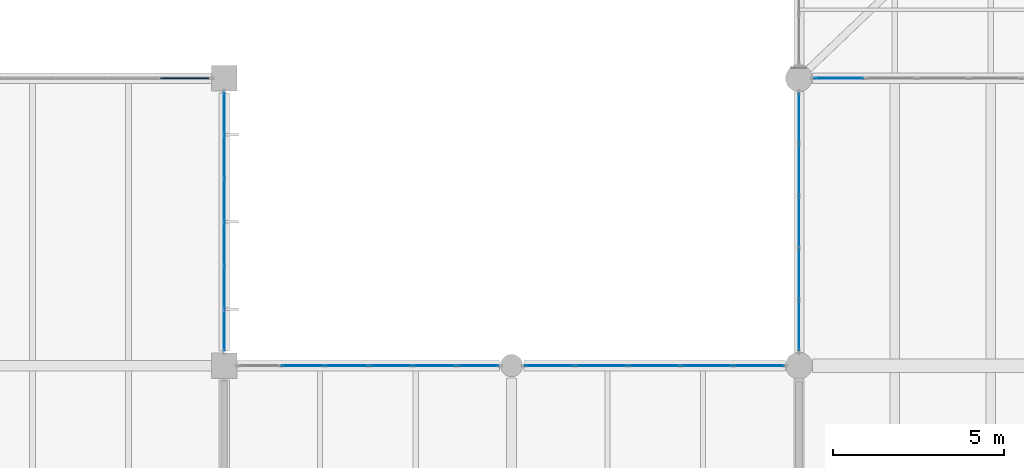
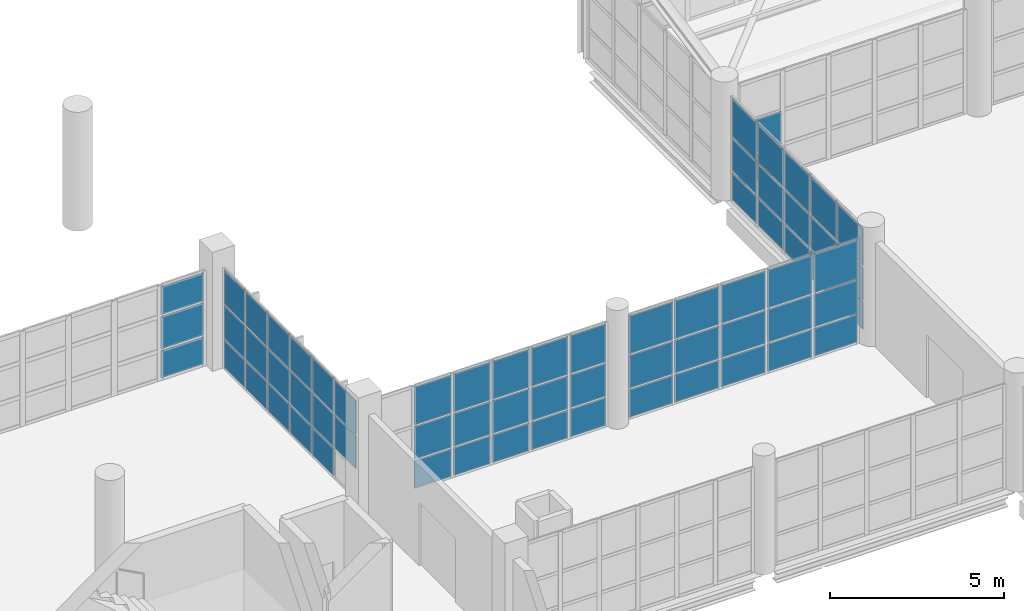
# One storey, part 131 of 177: 67 plates, 6 elements without a shape of their own.
"""IFC4 building model written with IfcOpenShell, lengths in metres."""

from ifc_helpers import new_model, si_unit, direction, frame, origin, origin_2d, place, context, subcontext, project, spatial, rectangle, extrude, material, layer, layer_set, type_object, element, aggregate, save


model = new_model("IFC4")

# Units and contexts
model_context = context("Model", 3, precision=1e-05, world=origin(), true_north=direction((0.0, 1.0)))
body_context = subcontext(model_context, "Body", "Model", "MODEL_VIEW")
ifc_project = project(units=[si_unit("LENGTHUNIT", "METRE"), si_unit("AREAUNIT", "SQUARE_METRE"), si_unit("VOLUMEUNIT", "CUBIC_METRE"), si_unit("PLANEANGLEUNIT", "RADIAN"), si_unit("MASSUNIT", "GRAM", prefix="KILO"), si_unit("THERMODYNAMICTEMPERATUREUNIT", "KELVIN"), si_unit("POWERUNIT", "WATT")], contexts=[model_context])

# Site, building, storey
site_placement = place(None, origin())
site = spatial("IfcSite", under=ifc_project, at=site_placement, CompositionType="ELEMENT")
building_placement = place(site_placement, origin())
building = spatial("IfcBuilding", under=site, at=building_placement, Name="Mavoryth Pier Ferry Terminal", CompositionType="ELEMENT")
storey_placement = place(building_placement, frame((0.0, 0.0, 5.43994140625)))
storey = spatial("IfcBuildingStorey", under=building, at=storey_placement, Name="L01", CompositionType="ELEMENT", Elevation=5.43994140625)

# Curtain wall, plates
ifc_material_1 = material(Name="Anodised Aluminium and Solar-Control Low-E Glass", Category="aluminium")
ifc_layer_1 = layer(ifc_material_1, 0.199951171875, Name="Anodised Aluminium and Solar-Control Low-E Glass", Category="aluminium")
ifc_layer_set_1 = layer_set([ifc_layer_1], Name="Anodised Aluminium and Solar-Control Low-E Glass - CW-Concourse-Mod1200")
curtain_wall_type_1 = type_object("IfcCurtainWallType", Name="CW-Concourse-Mod1200", PredefinedType="USERDEFINED", material=ifc_layer_set_1)
curtain_wall_1_placement = place(storey_placement, origin())
curtain_wall_1 = element("IfcCurtainWall", 1, at=curtain_wall_1_placement, inside=storey, type_object=curtain_wall_type_1, Name="Curtain Wall CW-0111-033", ObjectType="UNITISED CURTAIN WALL", PredefinedType="USERDEFINED")
ifc_material_2 = material(Name="Solar-Control Low-E Laminated Double Glazing", Category="glass")
ifc_layer_2 = layer(ifc_material_2, 0.02392578125, Name="Solar-Control Low-E Laminated Double Glazing", Category="glass")
ifc_layer_set_2 = layer_set([ifc_layer_2], Name="Solar-Control Low-E Laminated Double Glazing - Panel-LowE-DGU-24")
plate_type_1 = type_object("IfcPlateType", Name="Panel-LowE-DGU-24", PredefinedType="CURTAIN_PANEL", material=ifc_layer_set_2)
plate_1_placement = place(storey_placement, frame((33.60009765625, 98.626220703125, 1.07763671875), z_axis=(0.0, 0.0, 1.0), x_axis=(0.0, 1.0, 0.0)))
plate_1 = element("IfcPlate", 2, at=plate_1_placement, type_object=plate_type_1, Name="CW02 panel 1.2", PredefinedType="CURTAIN_PANEL", context=body_context, shape_type="SweptSolid", body=[
    extrude(rectangle(XDim=1.1923828125, YDim=0.02392578125, at=origin_2d()), origin(), (0.0, 0.0, 1.0), 1.14501953125),
])
plate_2_placement = place(storey_placement, frame((33.60009765625, 98.626220703125, 2.277587890625), z_axis=(0.0, 0.0, 1.0), x_axis=(0.0, 1.0, 0.0)))
plate_2 = element("IfcPlate", 3, at=plate_2_placement, type_object=plate_type_1, Name="CW02 panel 1.3", PredefinedType="CURTAIN_PANEL", context=body_context, shape_type="SweptSolid", body=[
    extrude(rectangle(XDim=1.1923828125, YDim=0.02392578125, at=origin_2d()), origin(), (0.0, 0.0, 1.0), 1.1826171875),
])
plate_3_placement = place(storey_placement, frame((33.60009765625, 99.887451171875, 0.05517578125), z_axis=(0.0, 0.0, 1.0), x_axis=(0.0, 1.0, 0.0)))
plate_3 = element("IfcPlate", 4, at=plate_3_placement, type_object=plate_type_1, Name="CW02 panel 2.1", PredefinedType="CURTAIN_PANEL", context=body_context, shape_type="SweptSolid", body=[
    extrude(rectangle(XDim=1.219970703125, YDim=0.02392578125, at=origin_2d()), origin(), (0.0, 0.0, 1.0), 0.967529296875),
])
plate_4_placement = place(storey_placement, frame((33.60009765625, 99.887451171875, 1.07763671875), z_axis=(0.0, 0.0, 1.0), x_axis=(0.0, 1.0, 0.0)))
plate_4 = element("IfcPlate", 5, at=plate_4_placement, type_object=plate_type_1, Name="CW02 panel 2.2", PredefinedType="CURTAIN_PANEL", context=body_context, shape_type="SweptSolid", body=[
    extrude(rectangle(XDim=1.219970703125, YDim=0.02392578125, at=origin_2d()), origin(), (0.0, 0.0, 1.0), 1.14501953125),
])
plate_5_placement = place(storey_placement, frame((33.60009765625, 99.887451171875, 2.277587890625), z_axis=(0.0, 0.0, 1.0), x_axis=(0.0, 1.0, 0.0)))
plate_5 = element("IfcPlate", 6, at=plate_5_placement, type_object=plate_type_1, Name="CW02 panel 2.3", PredefinedType="CURTAIN_PANEL", context=body_context, shape_type="SweptSolid", body=[
    extrude(rectangle(XDim=1.219970703125, YDim=0.02392578125, at=origin_2d()), origin(), (0.0, 0.0, 1.0), 1.1826171875),
])
plate_6_placement = place(storey_placement, frame((33.60009765625, 101.16259765625, 0.05517578125), z_axis=(0.0, 0.0, 1.0), x_axis=(0.0, 1.0, 0.0)))
plate_6 = element("IfcPlate", 7, at=plate_6_placement, type_object=plate_type_1, Name="CW02 panel 3.1", PredefinedType="CURTAIN_PANEL", context=body_context, shape_type="SweptSolid", body=[
    extrude(rectangle(XDim=1.219970703125, YDim=0.02392578125, at=origin_2d()), origin(), (0.0, 0.0, 1.0), 0.967529296875),
])
plate_7_placement = place(storey_placement, frame((33.60009765625, 101.16259765625, 1.07763671875), z_axis=(0.0, 0.0, 1.0), x_axis=(0.0, 1.0, 0.0)))
plate_7 = element("IfcPlate", 8, at=plate_7_placement, type_object=plate_type_1, Name="CW02 panel 3.2", PredefinedType="CURTAIN_PANEL", context=body_context, shape_type="SweptSolid", body=[
    extrude(rectangle(XDim=1.219970703125, YDim=0.02392578125, at=origin_2d()), origin(), (0.0, 0.0, 1.0), 1.14501953125),
])
plate_8_placement = place(storey_placement, frame((33.60009765625, 101.16259765625, 2.277587890625), z_axis=(0.0, 0.0, 1.0), x_axis=(0.0, 1.0, 0.0)))
plate_8 = element("IfcPlate", 9, at=plate_8_placement, type_object=plate_type_1, Name="CW02 panel 3.3", PredefinedType="CURTAIN_PANEL", context=body_context, shape_type="SweptSolid", body=[
    extrude(rectangle(XDim=1.219970703125, YDim=0.02392578125, at=origin_2d()), origin(), (0.0, 0.0, 1.0), 1.1826171875),
])
plate_9_placement = place(storey_placement, frame((33.60009765625, 102.4375, 0.05517578125), z_axis=(0.0, 0.0, 1.0), x_axis=(0.0, 1.0, 0.0)))
plate_9 = element("IfcPlate", 10, at=plate_9_placement, type_object=plate_type_1, Name="CW02 panel 4.1", PredefinedType="CURTAIN_PANEL", context=body_context, shape_type="SweptSolid", body=[
    extrude(rectangle(XDim=1.219970703125, YDim=0.02392578125, at=origin_2d()), origin(), (0.0, 0.0, 1.0), 0.967529296875),
])
plate_10_placement = place(storey_placement, frame((33.60009765625, 102.4375, 1.07763671875), z_axis=(0.0, 0.0, 1.0), x_axis=(0.0, 1.0, 0.0)))
plate_10 = element("IfcPlate", 11, at=plate_10_placement, type_object=plate_type_1, Name="CW02 panel 4.2", PredefinedType="CURTAIN_PANEL", context=body_context, shape_type="SweptSolid", body=[
    extrude(rectangle(XDim=1.219970703125, YDim=0.02392578125, at=origin_2d()), origin(), (0.0, 0.0, 1.0), 1.14501953125),
])
plate_11_placement = place(storey_placement, frame((33.60009765625, 102.4375, 2.277587890625), z_axis=(0.0, 0.0, 1.0), x_axis=(0.0, 1.0, 0.0)))
plate_11 = element("IfcPlate", 12, at=plate_11_placement, type_object=plate_type_1, Name="CW02 panel 4.3", PredefinedType="CURTAIN_PANEL", context=body_context, shape_type="SweptSolid", body=[
    extrude(rectangle(XDim=1.219970703125, YDim=0.02392578125, at=origin_2d()), origin(), (0.0, 0.0, 1.0), 1.1826171875),
])
plate_12_placement = place(storey_placement, frame((33.60009765625, 103.71240234375, 0.05517578125), z_axis=(0.0, 0.0, 1.0), x_axis=(0.0, 1.0, 0.0)))
plate_12 = element("IfcPlate", 13, at=plate_12_placement, type_object=plate_type_1, Name="CW02 panel 5.1", PredefinedType="CURTAIN_PANEL", context=body_context, shape_type="SweptSolid", body=[
    extrude(rectangle(XDim=1.219970703125, YDim=0.02392578125, at=origin_2d()), origin(), (0.0, 0.0, 1.0), 0.967529296875),
])
plate_13_placement = place(storey_placement, frame((33.60009765625, 103.71240234375, 1.07763671875), z_axis=(0.0, 0.0, 1.0), x_axis=(0.0, 1.0, 0.0)))
plate_13 = element("IfcPlate", 14, at=plate_13_placement, type_object=plate_type_1, Name="CW02 panel 5.2", PredefinedType="CURTAIN_PANEL", context=body_context, shape_type="SweptSolid", body=[
    extrude(rectangle(XDim=1.219970703125, YDim=0.02392578125, at=origin_2d()), origin(), (0.0, 0.0, 1.0), 1.14501953125),
])
plate_14_placement = place(storey_placement, frame((33.60009765625, 103.71240234375, 2.277587890625), z_axis=(0.0, 0.0, 1.0), x_axis=(0.0, 1.0, 0.0)))
plate_14 = element("IfcPlate", 15, at=plate_14_placement, type_object=plate_type_1, Name="CW02 panel 5.3", PredefinedType="CURTAIN_PANEL", context=body_context, shape_type="SweptSolid", body=[
    extrude(rectangle(XDim=1.219970703125, YDim=0.02392578125, at=origin_2d()), origin(), (0.0, 0.0, 1.0), 1.1826171875),
])
plate_15_placement = place(storey_placement, frame((33.60009765625, 104.9736328125, 0.05517578125), z_axis=(0.0, 0.0, 1.0), x_axis=(0.0, 1.0, 0.0)))
plate_15 = element("IfcPlate", 16, at=plate_15_placement, type_object=plate_type_1, Name="CW02 panel 6.1", PredefinedType="CURTAIN_PANEL", context=body_context, shape_type="SweptSolid", body=[
    extrude(rectangle(XDim=1.1923828125, YDim=0.02392578125, at=origin_2d()), origin(), (0.0, 0.0, 1.0), 0.967529296875),
])
plate_16_placement = place(storey_placement, frame((33.60009765625, 104.9736328125, 1.07763671875), z_axis=(0.0, 0.0, 1.0), x_axis=(0.0, 1.0, 0.0)))
plate_16 = element("IfcPlate", 17, at=plate_16_placement, type_object=plate_type_1, Name="CW02 panel 6.2", PredefinedType="CURTAIN_PANEL", context=body_context, shape_type="SweptSolid", body=[
    extrude(rectangle(XDim=1.1923828125, YDim=0.02392578125, at=origin_2d()), origin(), (0.0, 0.0, 1.0), 1.14501953125),
])
plate_17_placement = place(storey_placement, frame((33.60009765625, 104.9736328125, 2.277587890625), z_axis=(0.0, 0.0, 1.0), x_axis=(0.0, 1.0, 0.0)))
plate_17 = element("IfcPlate", 18, at=plate_17_placement, type_object=plate_type_1, Name="CW02 panel 6.3", PredefinedType="CURTAIN_PANEL", context=body_context, shape_type="SweptSolid", body=[
    extrude(rectangle(XDim=1.1923828125, YDim=0.02392578125, at=origin_2d()), origin(), (0.0, 0.0, 1.0), 1.1826171875),
])
aggregate(curtain_wall_1, [plate_1, plate_2, plate_3, plate_4, plate_5, plate_6, plate_7, plate_8, plate_9, plate_10, plate_11, plate_12, plate_13, plate_14, plate_15, plate_16, plate_17])

ifc_layer_3 = layer(ifc_material_1, 0.159912109375, Name="Anodised Aluminium and Solar-Control Low-E Glass", Category="aluminium")
ifc_layer_set_3 = layer_set([ifc_layer_3], Name="Anodised Aluminium and Solar-Control Low-E Glass - CW-Arrivals-Mod1400")
curtain_wall_type_2 = type_object("IfcCurtainWallType", Name="CW-Arrivals-Mod1400", PredefinedType="USERDEFINED", material=ifc_layer_set_3)
curtain_wall_2_placement = place(storey_placement, origin())
curtain_wall_2 = element("IfcCurtainWall", 19, at=curtain_wall_2_placement, inside=storey, type_object=curtain_wall_type_2, Name="Curtain Wall CW-0122-050", ObjectType="UNITISED CURTAIN WALL", PredefinedType="USERDEFINED")
plate_18_placement = place(storey_placement, frame((51.56689453125, 106.0, 0.06005859375), z_axis=(0.0, 0.0, 1.0), x_axis=(-1.0, 0.0, 0.0)))
plate_18 = element("IfcPlate", 20, at=plate_18_placement, type_object=plate_type_1, Name="CW04 panel 5.1", PredefinedType="CURTAIN_PANEL", context=body_context, shape_type="SweptSolid", body=[
    extrude(rectangle(XDim=1.43408203125, YDim=0.02392578125, at=origin_2d()), origin(), (0.0, 0.0, 1.0), 0.9599609375),
])
plate_19_placement = place(storey_placement, frame((51.56689453125, 106.0, 1.080078125), z_axis=(0.0, 0.0, 1.0), x_axis=(-1.0, 0.0, 0.0)))
plate_19 = element("IfcPlate", 21, at=plate_19_placement, type_object=plate_type_1, Name="CW04 panel 5.2", PredefinedType="CURTAIN_PANEL", context=body_context, shape_type="SweptSolid", body=[
    extrude(rectangle(XDim=1.43408203125, YDim=0.02392578125, at=origin_2d()), origin(), (0.0, 0.0, 1.0), 1.139892578125),
])
aggregate(curtain_wall_2, [plate_18, plate_19])

curtain_wall_3_placement = place(storey_placement, origin())
curtain_wall_3 = element("IfcCurtainWall", 22, at=curtain_wall_3_placement, inside=storey, type_object=curtain_wall_type_2, Name="Curtain Wall CW-0122-069", ObjectType="UNITISED CURTAIN WALL", PredefinedType="USERDEFINED")
plate_20_placement = place(storey_placement, frame((50.39990234375, 104.8330078125, 0.06005859375), z_axis=(0.0, 0.0, 1.0), x_axis=(0.0, -1.0, 0.0)))
plate_20 = element("IfcPlate", 23, at=plate_20_placement, type_object=plate_type_1, Name="CW04 panel 1.1", PredefinedType="CURTAIN_PANEL", context=body_context, shape_type="SweptSolid", body=[
    extrude(rectangle(XDim=1.43408203125, YDim=0.02392578125, at=origin_2d()), origin(), (0.0, 0.0, 1.0), 0.9599609375),
])
plate_21_placement = place(storey_placement, frame((50.39990234375, 104.8330078125, 1.080078125), z_axis=(0.0, 0.0, 1.0), x_axis=(0.0, -1.0, 0.0)))
plate_21 = element("IfcPlate", 24, at=plate_21_placement, type_object=plate_type_1, Name="CW04 panel 1.2", PredefinedType="CURTAIN_PANEL", context=body_context, shape_type="SweptSolid", body=[
    extrude(rectangle(XDim=1.43408203125, YDim=0.02392578125, at=origin_2d()), origin(), (0.0, 0.0, 1.0), 1.139892578125),
])
plate_22_placement = place(storey_placement, frame((50.39990234375, 104.8330078125, 2.27978515625), z_axis=(0.0, 0.0, 1.0), x_axis=(0.0, -1.0, 0.0)))
plate_22 = element("IfcPlate", 25, at=plate_22_placement, type_object=plate_type_1, Name="CW04 panel 1.3", PredefinedType="CURTAIN_PANEL", context=body_context, shape_type="SweptSolid", body=[
    extrude(rectangle(XDim=1.43408203125, YDim=0.02392578125, at=origin_2d()), origin(), (0.0, 0.0, 1.0), 1.320068359375),
])
plate_23_placement = place(storey_placement, frame((50.39990234375, 103.323974609375, 0.06005859375), z_axis=(0.0, 0.0, 1.0), x_axis=(0.0, -1.0, 0.0)))
plate_23 = element("IfcPlate", 26, at=plate_23_placement, type_object=plate_type_1, Name="CW04 panel 2.1", PredefinedType="CURTAIN_PANEL", context=body_context, shape_type="SweptSolid", body=[
    extrude(rectangle(XDim=1.464111328125, YDim=0.02392578125, at=origin_2d()), origin(), (0.0, 0.0, 1.0), 0.9599609375),
])
plate_24_placement = place(storey_placement, frame((50.39990234375, 103.323974609375, 1.080078125), z_axis=(0.0, 0.0, 1.0), x_axis=(0.0, -1.0, 0.0)))
plate_24 = element("IfcPlate", 27, at=plate_24_placement, type_object=plate_type_1, Name="CW04 panel 2.2", PredefinedType="CURTAIN_PANEL", context=body_context, shape_type="SweptSolid", body=[
    extrude(rectangle(XDim=1.464111328125, YDim=0.02392578125, at=origin_2d()), origin(), (0.0, 0.0, 1.0), 1.139892578125),
])
plate_25_placement = place(storey_placement, frame((50.39990234375, 103.323974609375, 2.27978515625), z_axis=(0.0, 0.0, 1.0), x_axis=(0.0, -1.0, 0.0)))
plate_25 = element("IfcPlate", 28, at=plate_25_placement, type_object=plate_type_1, Name="CW04 panel 2.3", PredefinedType="CURTAIN_PANEL", context=body_context, shape_type="SweptSolid", body=[
    extrude(rectangle(XDim=1.464111328125, YDim=0.02392578125, at=origin_2d()), origin(), (0.0, 0.0, 1.0), 1.320068359375),
])
plate_26_placement = place(storey_placement, frame((50.39990234375, 101.800048828125, 0.06005859375), z_axis=(0.0, 0.0, 1.0), x_axis=(0.0, -1.0, 0.0)))
plate_26 = element("IfcPlate", 29, at=plate_26_placement, type_object=plate_type_1, Name="CW04 panel 3.1", PredefinedType="CURTAIN_PANEL", context=body_context, shape_type="SweptSolid", body=[
    extrude(rectangle(XDim=1.464111328125, YDim=0.02392578125, at=origin_2d()), origin(), (0.0, 0.0, 1.0), 0.9599609375),
])
plate_27_placement = place(storey_placement, frame((50.39990234375, 101.800048828125, 1.080078125), z_axis=(0.0, 0.0, 1.0), x_axis=(0.0, -1.0, 0.0)))
plate_27 = element("IfcPlate", 30, at=plate_27_placement, type_object=plate_type_1, Name="CW04 panel 3.2", PredefinedType="CURTAIN_PANEL", context=body_context, shape_type="SweptSolid", body=[
    extrude(rectangle(XDim=1.464111328125, YDim=0.02392578125, at=origin_2d()), origin(), (0.0, 0.0, 1.0), 1.139892578125),
])
plate_28_placement = place(storey_placement, frame((50.39990234375, 101.800048828125, 2.27978515625), z_axis=(0.0, 0.0, 1.0), x_axis=(0.0, -1.0, 0.0)))
plate_28 = element("IfcPlate", 31, at=plate_28_placement, type_object=plate_type_1, Name="CW04 panel 3.3", PredefinedType="CURTAIN_PANEL", context=body_context, shape_type="SweptSolid", body=[
    extrude(rectangle(XDim=1.464111328125, YDim=0.02392578125, at=origin_2d()), origin(), (0.0, 0.0, 1.0), 1.320068359375),
])
plate_29_placement = place(storey_placement, frame((50.39990234375, 100.27587890625, 0.06005859375), z_axis=(0.0, 0.0, 1.0), x_axis=(0.0, -1.0, 0.0)))
plate_29 = element("IfcPlate", 32, at=plate_29_placement, type_object=plate_type_1, Name="CW04 panel 4.1", PredefinedType="CURTAIN_PANEL", context=body_context, shape_type="SweptSolid", body=[
    extrude(rectangle(XDim=1.464111328125, YDim=0.02392578125, at=origin_2d()), origin(), (0.0, 0.0, 1.0), 0.9599609375),
])
plate_30_placement = place(storey_placement, frame((50.39990234375, 100.27587890625, 1.080078125), z_axis=(0.0, 0.0, 1.0), x_axis=(0.0, -1.0, 0.0)))
plate_30 = element("IfcPlate", 33, at=plate_30_placement, type_object=plate_type_1, Name="CW04 panel 4.2", PredefinedType="CURTAIN_PANEL", context=body_context, shape_type="SweptSolid", body=[
    extrude(rectangle(XDim=1.464111328125, YDim=0.02392578125, at=origin_2d()), origin(), (0.0, 0.0, 1.0), 1.139892578125),
])
plate_31_placement = place(storey_placement, frame((50.39990234375, 100.27587890625, 2.27978515625), z_axis=(0.0, 0.0, 1.0), x_axis=(0.0, -1.0, 0.0)))
plate_31 = element("IfcPlate", 34, at=plate_31_placement, type_object=plate_type_1, Name="CW04 panel 4.3", PredefinedType="CURTAIN_PANEL", context=body_context, shape_type="SweptSolid", body=[
    extrude(rectangle(XDim=1.464111328125, YDim=0.02392578125, at=origin_2d()), origin(), (0.0, 0.0, 1.0), 1.320068359375),
])
plate_32_placement = place(storey_placement, frame((50.39990234375, 98.76708984375, 0.06005859375), z_axis=(0.0, 0.0, 1.0), x_axis=(0.0, -1.0, 0.0)))
plate_32 = element("IfcPlate", 35, at=plate_32_placement, type_object=plate_type_1, Name="CW04 panel 5.1", PredefinedType="CURTAIN_PANEL", context=body_context, shape_type="SweptSolid", body=[
    extrude(rectangle(XDim=1.43408203125, YDim=0.02392578125, at=origin_2d()), origin(), (0.0, 0.0, 1.0), 0.9599609375),
])
plate_33_placement = place(storey_placement, frame((50.39990234375, 98.76708984375, 1.080078125), z_axis=(0.0, 0.0, 1.0), x_axis=(0.0, -1.0, 0.0)))
plate_33 = element("IfcPlate", 36, at=plate_33_placement, type_object=plate_type_1, Name="CW04 panel 5.2", PredefinedType="CURTAIN_PANEL", context=body_context, shape_type="SweptSolid", body=[
    extrude(rectangle(XDim=1.43408203125, YDim=0.02392578125, at=origin_2d()), origin(), (0.0, 0.0, 1.0), 1.139892578125),
])
plate_34_placement = place(storey_placement, frame((50.39990234375, 98.76708984375, 2.27978515625), z_axis=(0.0, 0.0, 1.0), x_axis=(0.0, -1.0, 0.0)))
plate_34 = element("IfcPlate", 37, at=plate_34_placement, type_object=plate_type_1, Name="CW04 panel 5.3", PredefinedType="CURTAIN_PANEL", context=body_context, shape_type="SweptSolid", body=[
    extrude(rectangle(XDim=1.43408203125, YDim=0.02392578125, at=origin_2d()), origin(), (0.0, 0.0, 1.0), 1.320068359375),
])
aggregate(curtain_wall_3, [plate_20, plate_21, plate_22, plate_23, plate_24, plate_25, plate_26, plate_27, plate_28, plate_29, plate_30, plate_31, plate_32, plate_33, plate_34])

ifc_layer_4 = layer(ifc_material_1, 0.1201171875, Name="Anodised Aluminium and Solar-Control Low-E Glass", Category="aluminium")
ifc_layer_set_4 = layer_set([ifc_layer_4], Name="Anodised Aluminium and Solar-Control Low-E Glass - CW-BridgeLink-Mod1400")
curtain_wall_type_3 = type_object("IfcCurtainWallType", Name="CW-BridgeLink-Mod1400", PredefinedType="USERDEFINED", material=ifc_layer_set_4)
curtain_wall_4_placement = place(storey_placement, origin())
curtain_wall_4 = element("IfcCurtainWall", 38, at=curtain_wall_4_placement, inside=storey, type_object=curtain_wall_type_3, Name="Curtain Wall CW-0111-099", ObjectType="UNITISED CURTAIN WALL", PredefinedType="USERDEFINED")
plate_35_placement = place(storey_placement, frame((35.89990234375, 97.60009765625, 0.05517578125), z_axis=(0.0, 0.0, 1.0), x_axis=(1.0, 0.0, 0.0)))
plate_35 = element("IfcPlate", 39, at=plate_35_placement, type_object=plate_type_1, Name="CW08 panel 2.1", PredefinedType="CURTAIN_PANEL", context=body_context, shape_type="SweptSolid", body=[
    extrude(rectangle(XDim=1.228271484375, YDim=0.02392578125, at=origin_2d()), origin(), (0.0, 0.0, 1.0), 0.967529296875),
])
plate_36_placement = place(storey_placement, frame((35.89990234375, 97.60009765625, 1.07763671875), z_axis=(0.0, 0.0, 1.0), x_axis=(1.0, 0.0, 0.0)))
plate_36 = element("IfcPlate", 40, at=plate_36_placement, type_object=plate_type_1, Name="CW08 panel 2.2", PredefinedType="CURTAIN_PANEL", context=body_context, shape_type="SweptSolid", body=[
    extrude(rectangle(XDim=1.228271484375, YDim=0.02392578125, at=origin_2d()), origin(), (0.0, 0.0, 1.0), 1.14501953125),
])
plate_37_placement = place(storey_placement, frame((35.89990234375, 97.60009765625, 2.277587890625), z_axis=(0.0, 0.0, 1.0), x_axis=(1.0, 0.0, 0.0)))
plate_37 = element("IfcPlate", 41, at=plate_37_placement, type_object=plate_type_1, Name="CW08 panel 2.3", PredefinedType="CURTAIN_PANEL", context=body_context, shape_type="SweptSolid", body=[
    extrude(rectangle(XDim=1.228271484375, YDim=0.02392578125, at=origin_2d()), origin(), (0.0, 0.0, 1.0), 1.33251953125),
])
plate_38_placement = place(storey_placement, frame((37.183349609375, 97.60009765625, 0.05517578125), z_axis=(0.0, 0.0, 1.0), x_axis=(1.0, 0.0, 0.0)))
plate_38 = element("IfcPlate", 42, at=plate_38_placement, type_object=plate_type_1, Name="CW08 panel 3.1", PredefinedType="CURTAIN_PANEL", context=body_context, shape_type="SweptSolid", body=[
    extrude(rectangle(XDim=1.228271484375, YDim=0.02392578125, at=origin_2d()), origin(), (0.0, 0.0, 1.0), 0.967529296875),
])
plate_39_placement = place(storey_placement, frame((37.183349609375, 97.60009765625, 1.07763671875), z_axis=(0.0, 0.0, 1.0), x_axis=(1.0, 0.0, 0.0)))
plate_39 = element("IfcPlate", 43, at=plate_39_placement, type_object=plate_type_1, Name="CW08 panel 3.2", PredefinedType="CURTAIN_PANEL", context=body_context, shape_type="SweptSolid", body=[
    extrude(rectangle(XDim=1.228271484375, YDim=0.02392578125, at=origin_2d()), origin(), (0.0, 0.0, 1.0), 1.14501953125),
])
plate_40_placement = place(storey_placement, frame((37.183349609375, 97.60009765625, 2.277587890625), z_axis=(0.0, 0.0, 1.0), x_axis=(1.0, 0.0, 0.0)))
plate_40 = element("IfcPlate", 44, at=plate_40_placement, type_object=plate_type_1, Name="CW08 panel 3.3", PredefinedType="CURTAIN_PANEL", context=body_context, shape_type="SweptSolid", body=[
    extrude(rectangle(XDim=1.228271484375, YDim=0.02392578125, at=origin_2d()), origin(), (0.0, 0.0, 1.0), 1.33251953125),
])
plate_41_placement = place(storey_placement, frame((38.466552734375, 97.60009765625, 0.05517578125), z_axis=(0.0, 0.0, 1.0), x_axis=(1.0, 0.0, 0.0)))
plate_41 = element("IfcPlate", 45, at=plate_41_placement, type_object=plate_type_1, Name="CW08 panel 4.1", PredefinedType="CURTAIN_PANEL", context=body_context, shape_type="SweptSolid", body=[
    extrude(rectangle(XDim=1.228271484375, YDim=0.02392578125, at=origin_2d()), origin(), (0.0, 0.0, 1.0), 0.967529296875),
])
plate_42_placement = place(storey_placement, frame((38.466552734375, 97.60009765625, 1.07763671875), z_axis=(0.0, 0.0, 1.0), x_axis=(1.0, 0.0, 0.0)))
plate_42 = element("IfcPlate", 46, at=plate_42_placement, type_object=plate_type_1, Name="CW08 panel 4.2", PredefinedType="CURTAIN_PANEL", context=body_context, shape_type="SweptSolid", body=[
    extrude(rectangle(XDim=1.228271484375, YDim=0.02392578125, at=origin_2d()), origin(), (0.0, 0.0, 1.0), 1.14501953125),
])
plate_43_placement = place(storey_placement, frame((38.466552734375, 97.60009765625, 2.277587890625), z_axis=(0.0, 0.0, 1.0), x_axis=(1.0, 0.0, 0.0)))
plate_43 = element("IfcPlate", 47, at=plate_43_placement, type_object=plate_type_1, Name="CW08 panel 4.3", PredefinedType="CURTAIN_PANEL", context=body_context, shape_type="SweptSolid", body=[
    extrude(rectangle(XDim=1.228271484375, YDim=0.02392578125, at=origin_2d()), origin(), (0.0, 0.0, 1.0), 1.33251953125),
])
plate_44_placement = place(storey_placement, frame((39.75, 97.60009765625, 0.05517578125), z_axis=(0.0, 0.0, 1.0), x_axis=(1.0, 0.0, 0.0)))
plate_44 = element("IfcPlate", 48, at=plate_44_placement, type_object=plate_type_1, Name="CW08 panel 5.1", PredefinedType="CURTAIN_PANEL", context=body_context, shape_type="SweptSolid", body=[
    extrude(rectangle(XDim=1.228271484375, YDim=0.02392578125, at=origin_2d()), origin(), (0.0, 0.0, 1.0), 0.967529296875),
])
plate_45_placement = place(storey_placement, frame((39.75, 97.60009765625, 1.07763671875), z_axis=(0.0, 0.0, 1.0), x_axis=(1.0, 0.0, 0.0)))
plate_45 = element("IfcPlate", 49, at=plate_45_placement, type_object=plate_type_1, Name="CW08 panel 5.2", PredefinedType="CURTAIN_PANEL", context=body_context, shape_type="SweptSolid", body=[
    extrude(rectangle(XDim=1.228271484375, YDim=0.02392578125, at=origin_2d()), origin(), (0.0, 0.0, 1.0), 1.14501953125),
])
plate_46_placement = place(storey_placement, frame((39.75, 97.60009765625, 2.277587890625), z_axis=(0.0, 0.0, 1.0), x_axis=(1.0, 0.0, 0.0)))
plate_46 = element("IfcPlate", 50, at=plate_46_placement, type_object=plate_type_1, Name="CW08 panel 5.3", PredefinedType="CURTAIN_PANEL", context=body_context, shape_type="SweptSolid", body=[
    extrude(rectangle(XDim=1.228271484375, YDim=0.02392578125, at=origin_2d()), origin(), (0.0, 0.0, 1.0), 1.33251953125),
])
plate_47_placement = place(storey_placement, frame((41.01953125, 97.60009765625, 0.05517578125), z_axis=(0.0, 0.0, 1.0), x_axis=(1.0, 0.0, 0.0)))
plate_47 = element("IfcPlate", 51, at=plate_47_placement, type_object=plate_type_1, Name="CW08 panel 6.1", PredefinedType="CURTAIN_PANEL", context=body_context, shape_type="SweptSolid", body=[
    extrude(rectangle(XDim=1.200927734375, YDim=0.02392578125, at=origin_2d()), origin(), (0.0, 0.0, 1.0), 0.967529296875),
])
plate_48_placement = place(storey_placement, frame((41.01953125, 97.60009765625, 1.07763671875), z_axis=(0.0, 0.0, 1.0), x_axis=(1.0, 0.0, 0.0)))
plate_48 = element("IfcPlate", 52, at=plate_48_placement, type_object=plate_type_1, Name="CW08 panel 6.2", PredefinedType="CURTAIN_PANEL", context=body_context, shape_type="SweptSolid", body=[
    extrude(rectangle(XDim=1.200927734375, YDim=0.02392578125, at=origin_2d()), origin(), (0.0, 0.0, 1.0), 1.14501953125),
])
plate_49_placement = place(storey_placement, frame((41.01953125, 97.60009765625, 2.277587890625), z_axis=(0.0, 0.0, 1.0), x_axis=(1.0, 0.0, 0.0)))
plate_49 = element("IfcPlate", 53, at=plate_49_placement, type_object=plate_type_1, Name="CW08 panel 6.3", PredefinedType="CURTAIN_PANEL", context=body_context, shape_type="SweptSolid", body=[
    extrude(rectangle(XDim=1.200927734375, YDim=0.02392578125, at=origin_2d()), origin(), (0.0, 0.0, 1.0), 1.33251953125),
])
aggregate(curtain_wall_4, [plate_35, plate_36, plate_37, plate_38, plate_39, plate_40, plate_41, plate_42, plate_43, plate_44, plate_45, plate_46, plate_47, plate_48, plate_49])

curtain_wall_5_placement = place(storey_placement, origin())
curtain_wall_5 = element("IfcCurtainWall", 54, at=curtain_wall_5_placement, inside=storey, type_object=curtain_wall_type_3, Name="Curtain Wall CW-0111-101", ObjectType="UNITISED CURTAIN WALL", PredefinedType="USERDEFINED")
plate_50_placement = place(storey_placement, frame((43.107177734375, 97.60009765625, 0.05517578125), z_axis=(0.0, 0.0, 1.0), x_axis=(1.0, 0.0, 0.0)))
plate_50 = element("IfcPlate", 55, at=plate_50_placement, type_object=plate_type_1, Name="CW08 panel 1.1", PredefinedType="CURTAIN_PANEL", context=body_context, shape_type="SweptSolid", body=[
    extrude(rectangle(XDim=1.45458984375, YDim=0.02392578125, at=origin_2d()), origin(), (0.0, 0.0, 1.0), 0.967529296875),
])
plate_51_placement = place(storey_placement, frame((43.107177734375, 97.60009765625, 1.07763671875), z_axis=(0.0, 0.0, 1.0), x_axis=(1.0, 0.0, 0.0)))
plate_51 = element("IfcPlate", 56, at=plate_51_placement, type_object=plate_type_1, Name="CW08 panel 1.2", PredefinedType="CURTAIN_PANEL", context=body_context, shape_type="SweptSolid", body=[
    extrude(rectangle(XDim=1.45458984375, YDim=0.02392578125, at=origin_2d()), origin(), (0.0, 0.0, 1.0), 1.14501953125),
])
plate_52_placement = place(storey_placement, frame((43.107177734375, 97.60009765625, 2.277587890625), z_axis=(0.0, 0.0, 1.0), x_axis=(1.0, 0.0, 0.0)))
plate_52 = element("IfcPlate", 57, at=plate_52_placement, type_object=plate_type_1, Name="CW08 panel 1.3", PredefinedType="CURTAIN_PANEL", context=body_context, shape_type="SweptSolid", body=[
    extrude(rectangle(XDim=1.45458984375, YDim=0.02392578125, at=origin_2d()), origin(), (0.0, 0.0, 1.0), 1.33251953125),
])
plate_53_placement = place(storey_placement, frame((44.630615234375, 97.60009765625, 0.05517578125), z_axis=(0.0, 0.0, 1.0), x_axis=(1.0, 0.0, 0.0)))
plate_53 = element("IfcPlate", 58, at=plate_53_placement, type_object=plate_type_1, Name="CW08 panel 2.1", PredefinedType="CURTAIN_PANEL", context=body_context, shape_type="SweptSolid", body=[
    extrude(rectangle(XDim=1.48193359375, YDim=0.02392578125, at=origin_2d()), origin(), (0.0, 0.0, 1.0), 0.967529296875),
])
plate_54_placement = place(storey_placement, frame((44.630615234375, 97.60009765625, 1.07763671875), z_axis=(0.0, 0.0, 1.0), x_axis=(1.0, 0.0, 0.0)))
plate_54 = element("IfcPlate", 59, at=plate_54_placement, type_object=plate_type_1, Name="CW08 panel 2.2", PredefinedType="CURTAIN_PANEL", context=body_context, shape_type="SweptSolid", body=[
    extrude(rectangle(XDim=1.48193359375, YDim=0.02392578125, at=origin_2d()), origin(), (0.0, 0.0, 1.0), 1.14501953125),
])
plate_55_placement = place(storey_placement, frame((44.630615234375, 97.60009765625, 2.277587890625), z_axis=(0.0, 0.0, 1.0), x_axis=(1.0, 0.0, 0.0)))
plate_55 = element("IfcPlate", 60, at=plate_55_placement, type_object=plate_type_1, Name="CW08 panel 2.3", PredefinedType="CURTAIN_PANEL", context=body_context, shape_type="SweptSolid", body=[
    extrude(rectangle(XDim=1.48193359375, YDim=0.02392578125, at=origin_2d()), origin(), (0.0, 0.0, 1.0), 1.33251953125),
])
plate_56_placement = place(storey_placement, frame((46.16748046875, 97.60009765625, 0.05517578125), z_axis=(0.0, 0.0, 1.0), x_axis=(1.0, 0.0, 0.0)))
plate_56 = element("IfcPlate", 61, at=plate_56_placement, type_object=plate_type_1, Name="CW08 panel 3.1", PredefinedType="CURTAIN_PANEL", context=body_context, shape_type="SweptSolid", body=[
    extrude(rectangle(XDim=1.48193359375, YDim=0.02392578125, at=origin_2d()), origin(), (0.0, 0.0, 1.0), 0.967529296875),
])
plate_57_placement = place(storey_placement, frame((46.16748046875, 97.60009765625, 1.07763671875), z_axis=(0.0, 0.0, 1.0), x_axis=(1.0, 0.0, 0.0)))
plate_57 = element("IfcPlate", 62, at=plate_57_placement, type_object=plate_type_1, Name="CW08 panel 3.2", PredefinedType="CURTAIN_PANEL", context=body_context, shape_type="SweptSolid", body=[
    extrude(rectangle(XDim=1.48193359375, YDim=0.02392578125, at=origin_2d()), origin(), (0.0, 0.0, 1.0), 1.14501953125),
])
plate_58_placement = place(storey_placement, frame((46.16748046875, 97.60009765625, 2.277587890625), z_axis=(0.0, 0.0, 1.0), x_axis=(1.0, 0.0, 0.0)))
plate_58 = element("IfcPlate", 63, at=plate_58_placement, type_object=plate_type_1, Name="CW08 panel 3.3", PredefinedType="CURTAIN_PANEL", context=body_context, shape_type="SweptSolid", body=[
    extrude(rectangle(XDim=1.48193359375, YDim=0.02392578125, at=origin_2d()), origin(), (0.0, 0.0, 1.0), 1.33251953125),
])
plate_59_placement = place(storey_placement, frame((47.70458984375, 97.60009765625, 0.05517578125), z_axis=(0.0, 0.0, 1.0), x_axis=(1.0, 0.0, 0.0)))
plate_59 = element("IfcPlate", 64, at=plate_59_placement, type_object=plate_type_1, Name="CW08 panel 4.1", PredefinedType="CURTAIN_PANEL", context=body_context, shape_type="SweptSolid", body=[
    extrude(rectangle(XDim=1.48193359375, YDim=0.02392578125, at=origin_2d()), origin(), (0.0, 0.0, 1.0), 0.967529296875),
])
plate_60_placement = place(storey_placement, frame((47.70458984375, 97.60009765625, 1.07763671875), z_axis=(0.0, 0.0, 1.0), x_axis=(1.0, 0.0, 0.0)))
plate_60 = element("IfcPlate", 65, at=plate_60_placement, type_object=plate_type_1, Name="CW08 panel 4.2", PredefinedType="CURTAIN_PANEL", context=body_context, shape_type="SweptSolid", body=[
    extrude(rectangle(XDim=1.48193359375, YDim=0.02392578125, at=origin_2d()), origin(), (0.0, 0.0, 1.0), 1.14501953125),
])
plate_61_placement = place(storey_placement, frame((47.70458984375, 97.60009765625, 2.277587890625), z_axis=(0.0, 0.0, 1.0), x_axis=(1.0, 0.0, 0.0)))
plate_61 = element("IfcPlate", 66, at=plate_61_placement, type_object=plate_type_1, Name="CW08 panel 4.3", PredefinedType="CURTAIN_PANEL", context=body_context, shape_type="SweptSolid", body=[
    extrude(rectangle(XDim=1.48193359375, YDim=0.02392578125, at=origin_2d()), origin(), (0.0, 0.0, 1.0), 1.33251953125),
])
plate_62_placement = place(storey_placement, frame((49.227783203125, 97.60009765625, 0.05517578125), z_axis=(0.0, 0.0, 1.0), x_axis=(1.0, 0.0, 0.0)))
plate_62 = element("IfcPlate", 67, at=plate_62_placement, type_object=plate_type_1, Name="CW08 panel 5.1", PredefinedType="CURTAIN_PANEL", context=body_context, shape_type="SweptSolid", body=[
    extrude(rectangle(XDim=1.45458984375, YDim=0.02392578125, at=origin_2d()), origin(), (0.0, 0.0, 1.0), 0.967529296875),
])
plate_63_placement = place(storey_placement, frame((49.227783203125, 97.60009765625, 1.07763671875), z_axis=(0.0, 0.0, 1.0), x_axis=(1.0, 0.0, 0.0)))
plate_63 = element("IfcPlate", 68, at=plate_63_placement, type_object=plate_type_1, Name="CW08 panel 5.2", PredefinedType="CURTAIN_PANEL", context=body_context, shape_type="SweptSolid", body=[
    extrude(rectangle(XDim=1.45458984375, YDim=0.02392578125, at=origin_2d()), origin(), (0.0, 0.0, 1.0), 1.14501953125),
])
plate_64_placement = place(storey_placement, frame((49.227783203125, 97.60009765625, 2.277587890625), z_axis=(0.0, 0.0, 1.0), x_axis=(1.0, 0.0, 0.0)))
plate_64 = element("IfcPlate", 69, at=plate_64_placement, type_object=plate_type_1, Name="CW08 panel 5.3", PredefinedType="CURTAIN_PANEL", context=body_context, shape_type="SweptSolid", body=[
    extrude(rectangle(XDim=1.45458984375, YDim=0.02392578125, at=origin_2d()), origin(), (0.0, 0.0, 1.0), 1.33251953125),
])
aggregate(curtain_wall_5, [plate_50, plate_51, plate_52, plate_53, plate_54, plate_55, plate_56, plate_57, plate_58, plate_59, plate_60, plate_61, plate_62, plate_63, plate_64])

ifc_layer_5 = layer(ifc_material_1, 0.219970703125, Name="Anodised Aluminium and Solar-Control Low-E Glass", Category="aluminium")
ifc_layer_set_5 = layer_set([ifc_layer_5], Name="Anodised Aluminium and Solar-Control Low-E Glass - CW-Seaward-Tall-Mod1400")
curtain_wall_type_4 = type_object("IfcCurtainWallType", Name="CW-Seaward-Tall-Mod1400", PredefinedType="USERDEFINED", material=ifc_layer_set_5)
curtain_wall_6_placement = place(storey_placement, origin())
curtain_wall_6 = element("IfcCurtainWall", 70, at=curtain_wall_6_placement, inside=storey, type_object=curtain_wall_type_4, Name="Curtain Wall CW-0144-046", ObjectType="UNITISED CURTAIN WALL", PredefinedType="USERDEFINED")
ifc_material_3 = material(Name="Acoustic Solar-Control Triple-Laminated Glazing", Category="glass")
ifc_layer_6 = layer(ifc_material_3, 0.033935546875, Name="Acoustic Solar-Control Triple-Laminated Glazing", Category="glass")
ifc_layer_set_6 = layer_set([ifc_layer_6], Name="Acoustic Solar-Control Triple-Laminated Glazing - Panel-LowE-DGU-34")
plate_type_2 = type_object("IfcPlateType", Name="Panel-LowE-DGU-34", PredefinedType="CURTAIN_PANEL", material=ifc_layer_set_6)
plate_65_placement = place(storey_placement, frame((32.447509765625, 106.0, 0.06982421875), z_axis=(0.0, 0.0, 1.0), x_axis=(-1.0, 0.0, 0.0)))
plate_65 = element("IfcPlate", 71, at=plate_65_placement, type_object=plate_type_2, Name="CW03 panel 1.1", PredefinedType="CURTAIN_PANEL", context=body_context, shape_type="SweptSolid", body=[
    extrude(rectangle(XDim=1.4150390625, YDim=0.033935546875, at=origin_2d()), origin(), (0.0, 0.0, 1.0), 0.945068359375),
])
plate_66_placement = place(storey_placement, frame((32.447509765625, 106.0, 1.085205078125), z_axis=(0.0, 0.0, 1.0), x_axis=(-1.0, 0.0, 0.0)))
plate_66 = element("IfcPlate", 72, at=plate_66_placement, type_object=plate_type_2, Name="CW03 panel 1.2", PredefinedType="CURTAIN_PANEL", context=body_context, shape_type="SweptSolid", body=[
    extrude(rectangle(XDim=1.4150390625, YDim=0.033935546875, at=origin_2d()), origin(), (0.0, 0.0, 1.0), 1.1298828125),
])
plate_67_placement = place(storey_placement, frame((32.447509765625, 106.0, 2.28515625), z_axis=(0.0, 0.0, 1.0), x_axis=(-1.0, 0.0, 0.0)))
plate_67 = element("IfcPlate", 73, at=plate_67_placement, type_object=plate_type_2, Name="CW03 panel 1.3", PredefinedType="CURTAIN_PANEL", context=body_context, shape_type="SweptSolid", body=[
    extrude(rectangle(XDim=1.4150390625, YDim=0.033935546875, at=origin_2d()), origin(), (0.0, 0.0, 1.0), 0.97998046875),
])
aggregate(curtain_wall_6, [plate_65, plate_66, plate_67])

save(model, "model.ifc")
